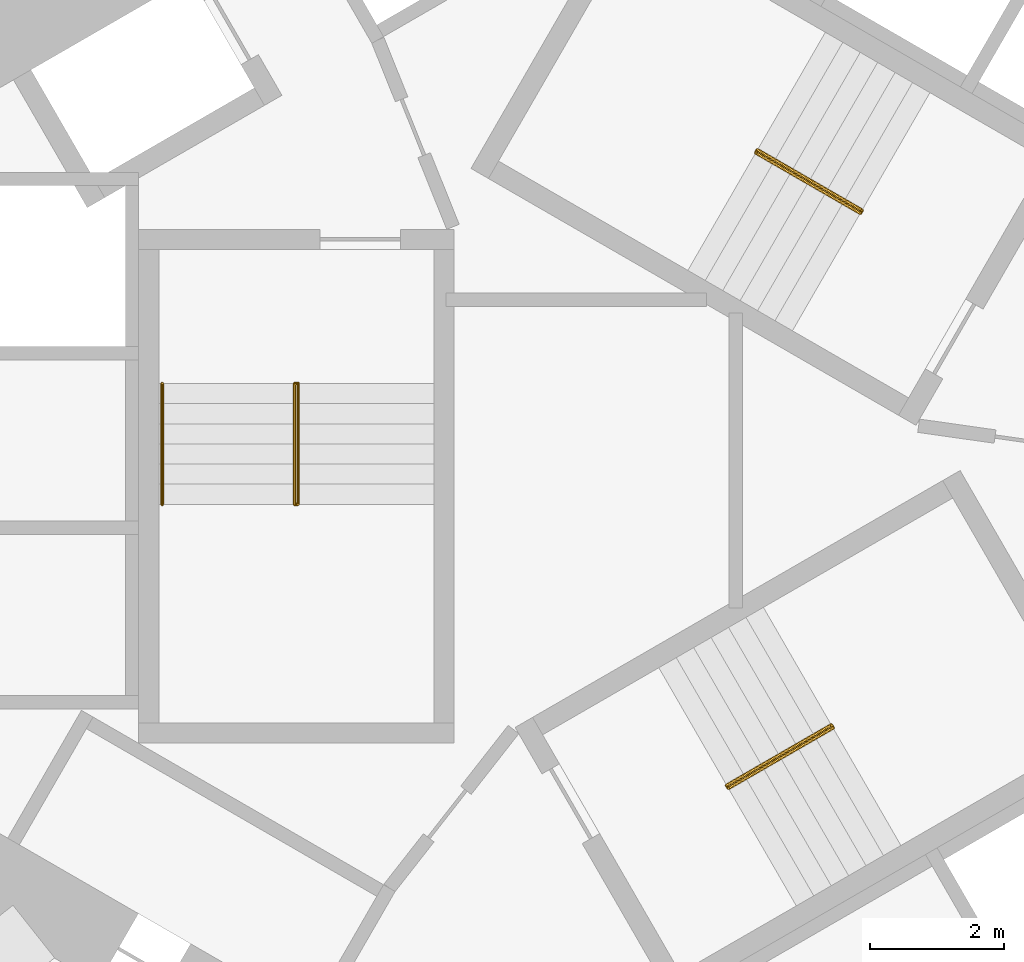
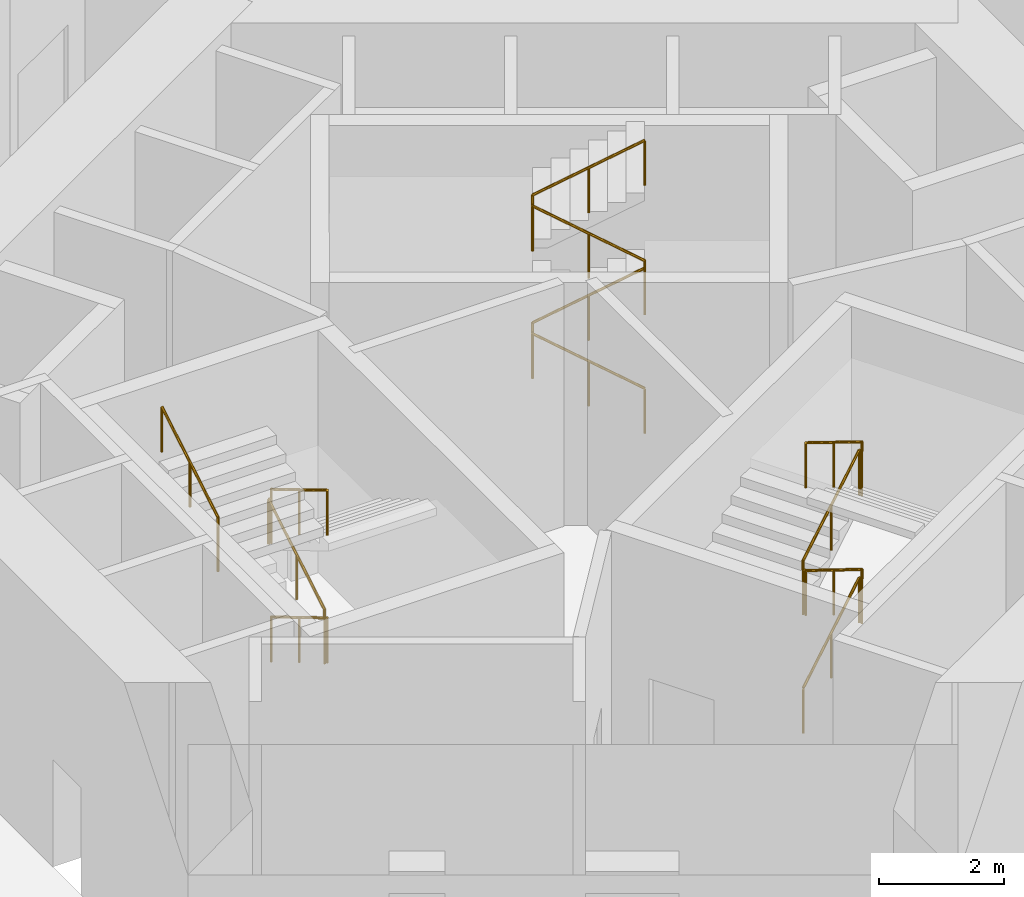
# One storey, part 19 of 19: 4 railings.
"""IFC4 building model written with IfcOpenShell, lengths in metres."""

from ifc_helpers import new_model, si_unit, direction, frame, origin, origin_2d, place, context, subcontext, project, spatial, circle, extrude, material, type_object, element, save


model = new_model("IFC4")

# Units and contexts
model_context = context("Model", 3, precision=1e-05, world=origin(), true_north=direction((0.0, 1.0)))
body_context = subcontext(model_context, "Body", "Model", "MODEL_VIEW")
ifc_project = project(units=[si_unit("LENGTHUNIT", "METRE"), si_unit("AREAUNIT", "SQUARE_METRE"), si_unit("VOLUMEUNIT", "CUBIC_METRE"), si_unit("PLANEANGLEUNIT", "RADIAN"), si_unit("MASSUNIT", "GRAM", prefix="KILO")], contexts=[model_context])

# Site, building, storey
site_placement = place(None, origin())
site = spatial("IfcSite", under=ifc_project, at=site_placement, CompositionType="ELEMENT")
building_placement = place(site_placement, origin())
building = spatial("IfcBuilding", under=site, at=building_placement, Name="Vanh Sen Convention Tower", CompositionType="ELEMENT")
storey_placement = place(building_placement, frame((0.0, 0.0, 39.0)))
storey = spatial("IfcBuildingStorey", under=building, at=storey_placement, Name="L06", CompositionType="ELEMENT", Elevation=39.0)

# Railings
ifc_material = material(Name="Stainless steel handrail", Category="steel")
railing_type = type_object("IfcRailingType", Name="Stair handrail 900", PredefinedType="HANDRAIL", material=ifc_material)
railing_1_placement = place(storey_placement, frame((3.45849609375, 3.690185546875, 0.1787109375)))
element("IfcRailing", 1, at=railing_1_placement, inside=storey, type_object=railing_type, Name="Stair handrail ST1 L06", PredefinedType="HANDRAIL", context=body_context, shape_type="SweptSolid", body=[
    extrude(circle(Radius=0.02392578125, at=origin_2d()), frame((0.0, 0.0, 0.8759765625), z_axis=(-0.744208054379, 0.429624258174, 0.511446349666), x_axis=(-0.499961193289, -0.866047807691, 0.0)), (0.0, 0.0, 1.0), 2.0947265625),
    extrude(circle(Radius=0.02392578125, at=origin_2d()), frame((-1.558837890625, 0.89990234375, 1.947265625), z_axis=(0.497188445666, 0.867642581652, 0.0), x_axis=(-0.867642581652, 0.497188445666, 0.0)), (0.0, 0.0, 1.0), 0.050048828125),
    extrude(circle(Radius=0.02392578125, at=origin_2d()), frame((-1.533935546875, 0.943359375, 1.947265625), z_axis=(0.0, 0.0, 1.0), x_axis=(1.0, 0.0, 0.0)), (0.0, 0.0, 1.0), 0.1787109375),
    extrude(circle(Radius=0.02392578125, at=origin_2d()), frame((-1.533935546875, 0.943359375, 2.1259765625), z_axis=(0.744170785793, -0.429719293222, 0.511420737363), x_axis=(0.500062916607, 0.865989075817, 0.0)), (0.0, 0.0, 1.0), 2.0947265625),
    extrude(circle(Radius=0.02392578125, at=origin_2d()), frame((0.02490234375, 0.043212890625, 3.197265625), z_axis=(-0.499298623879, -0.866429964967, 0.0), x_axis=(0.866429964967, -0.499298623879, 0.0)), (0.0, 0.0, 1.0), 0.0498046875),
    extrude(circle(Radius=0.02392578125, at=origin_2d()), frame((0.0, 0.0, 3.197265625), z_axis=(0.0, 0.0, 1.0), x_axis=(1.0, 0.0, 0.0)), (0.0, 0.0, 1.0), 0.1787109375),
    extrude(circle(Radius=0.02392578125, at=origin_2d()), frame((0.0, 0.0, 3.3759765625), z_axis=(-0.744208054379, 0.429624258174, 0.511446349666), x_axis=(-0.499961193289, -0.866047807691, 0.0)), (0.0, 0.0, 1.0), 2.0947265625),
    extrude(circle(Radius=0.02392578125, at=origin_2d()), frame((-1.558837890625, 0.89990234375, 4.447265625), z_axis=(0.497188445666, 0.867642581652, 0.0), x_axis=(-0.867642581652, 0.497188445666, 0.0)), (0.0, 0.0, 1.0), 0.050048828125),
    extrude(circle(Radius=0.02392578125, at=origin_2d()), frame((-1.533935546875, 0.943359375, 4.447265625), z_axis=(0.0, 0.0, 1.0), x_axis=(1.0, 0.0, 0.0)), (0.0, 0.0, 1.0), 0.1787109375),
    extrude(circle(Radius=0.02392578125, at=origin_2d()), frame((-1.533935546875, 0.943359375, 4.6259765625), z_axis=(0.744170785793, -0.429719293222, 0.511420737363), x_axis=(0.500062916607, 0.865989075817, 0.0)), (0.0, 0.0, 1.0), 2.0947265625),
    extrude(circle(Radius=0.02099609375, at=origin_2d()), origin(), (0.0, 0.0, 1.0), 0.851806640625),
    extrude(circle(Radius=0.02099609375, at=origin_2d()), frame((-0.779296875, 0.449951171875, 0.53564453125)), (0.0, 0.0, 1.0), 0.851806640625),
    extrude(circle(Radius=0.02099609375, at=origin_2d()), frame((-1.558837890625, 0.89990234375, 1.0712890625)), (0.0, 0.0, 1.0), 0.851806640625),
    extrude(circle(Radius=0.02099609375, at=origin_2d()), frame((-1.533935546875, 0.943359375, 1.0712890625)), (0.0, 0.0, 1.0), 0.851806640625),
    extrude(circle(Radius=0.02099609375, at=origin_2d()), frame((-1.533935546875, 0.943359375, 1.25)), (0.0, 0.0, 1.0), 0.851806640625),
    extrude(circle(Radius=0.02099609375, at=origin_2d()), frame((-0.75439453125, 0.4931640625, 1.78564453125)), (0.0, 0.0, 1.0), 0.851806640625),
    extrude(circle(Radius=0.02099609375, at=origin_2d()), frame((0.02490234375, 0.043212890625, 2.3212890625)), (0.0, 0.0, 1.0), 0.851806640625),
    extrude(circle(Radius=0.02099609375, at=origin_2d()), frame((0.0, 0.0, 2.3212890625)), (0.0, 0.0, 1.0), 0.851806640625),
    extrude(circle(Radius=0.02099609375, at=origin_2d()), frame((0.0, 0.0, 2.5)), (0.0, 0.0, 1.0), 0.851806640625),
    extrude(circle(Radius=0.02099609375, at=origin_2d()), frame((-0.779296875, 0.449951171875, 3.03564453125)), (0.0, 0.0, 1.0), 0.851806640625),
    extrude(circle(Radius=0.02099609375, at=origin_2d()), frame((-1.558837890625, 0.89990234375, 3.5712890625)), (0.0, 0.0, 1.0), 0.851806640625),
    extrude(circle(Radius=0.02099609375, at=origin_2d()), frame((-1.533935546875, 0.943359375, 3.5712890625)), (0.0, 0.0, 1.0), 0.851806640625),
    extrude(circle(Radius=0.02099609375, at=origin_2d()), frame((-1.533935546875, 0.943359375, 3.75)), (0.0, 0.0, 1.0), 0.851806640625),
    extrude(circle(Radius=0.02099609375, at=origin_2d()), frame((-0.75439453125, 0.4931640625, 4.28564453125)), (0.0, 0.0, 1.0), 0.851806640625),
    extrude(circle(Radius=0.02099609375, at=origin_2d()), frame((0.02490234375, 0.043212890625, 4.8212890625)), (0.0, 0.0, 1.0), 0.851806640625),
])
railing_2_placement = place(storey_placement, frame((-4.925048828125, 1.14990234375, 0.1787109375)))
element("IfcRailing", 2, at=railing_2_placement, inside=storey, type_object=railing_type, Name="Stair handrail ST2 L06", PredefinedType="HANDRAIL", context=body_context, shape_type="SweptSolid", body=[
    extrude(circle(Radius=0.02392578125, at=origin_2d()), frame((0.0, 0.0, 0.8759765625), z_axis=(0.0, -0.859297763499, 0.511475662809), x_axis=(1.0, 0.0, 0.0)), (0.0, 0.0, 1.0), 2.094482421875),
    extrude(circle(Radius=0.02392578125, at=origin_2d()), frame((0.0, -1.7998046875, 1.947265625), z_axis=(-1.0, 0.0, 0.0), x_axis=(0.0, -1.0, 0.0)), (0.0, 0.0, 1.0), 0.050048828125),
    extrude(circle(Radius=0.02392578125, at=origin_2d()), frame((-0.050048828125, -1.7998046875, 1.947265625), z_axis=(0.0, 0.0, 1.0), x_axis=(1.0, 0.0, 0.0)), (0.0, 0.0, 1.0), 0.1787109375),
    extrude(circle(Radius=0.02392578125, at=origin_2d()), frame((-0.050048828125, -1.7998046875, 2.1259765625), z_axis=(0.0, 0.859297763499, 0.511475662809), x_axis=(-1.0, 0.0, 0.0)), (0.0, 0.0, 1.0), 2.094482421875),
    extrude(circle(Radius=0.02392578125, at=origin_2d()), frame((-0.050048828125, 0.0, 3.197265625), z_axis=(1.0, 0.0, 0.0), x_axis=(0.0, 1.0, 0.0)), (0.0, 0.0, 1.0), 0.050048828125),
    extrude(circle(Radius=0.02392578125, at=origin_2d()), frame((0.0, 0.0, 3.197265625), z_axis=(0.0, 0.0, 1.0), x_axis=(1.0, 0.0, 0.0)), (0.0, 0.0, 1.0), 0.1787109375),
    extrude(circle(Radius=0.02392578125, at=origin_2d()), frame((0.0, 0.0, 3.3759765625), z_axis=(0.0, -0.859297763499, 0.511475662809), x_axis=(1.0, 0.0, 0.0)), (0.0, 0.0, 1.0), 2.094482421875),
    extrude(circle(Radius=0.02099609375, at=origin_2d()), origin(), (0.0, 0.0, 1.0), 0.851806640625),
    extrude(circle(Radius=0.02099609375, at=origin_2d()), frame((0.0, -0.89990234375, 0.53564453125)), (0.0, 0.0, 1.0), 0.851806640625),
    extrude(circle(Radius=0.02099609375, at=origin_2d()), frame((0.0, -1.7998046875, 1.0712890625)), (0.0, 0.0, 1.0), 0.851806640625),
    extrude(circle(Radius=0.02099609375, at=origin_2d()), frame((-0.050048828125, -1.7998046875, 1.0712890625)), (0.0, 0.0, 1.0), 0.851806640625),
    extrude(circle(Radius=0.02099609375, at=origin_2d()), frame((-0.050048828125, -1.7998046875, 1.25)), (0.0, 0.0, 1.0), 0.851806640625),
    extrude(circle(Radius=0.02099609375, at=origin_2d()), frame((-0.050048828125, -0.89990234375, 1.78564453125)), (0.0, 0.0, 1.0), 0.851806640625),
    extrude(circle(Radius=0.02099609375, at=origin_2d()), frame((-0.050048828125, 0.0, 2.3212890625)), (0.0, 0.0, 1.0), 0.851806640625),
    extrude(circle(Radius=0.02099609375, at=origin_2d()), frame((0.0, 0.0, 2.3212890625)), (0.0, 0.0, 1.0), 0.851806640625),
    extrude(circle(Radius=0.02099609375, at=origin_2d()), frame((0.0, 0.0, 2.5)), (0.0, 0.0, 1.0), 0.851806640625),
    extrude(circle(Radius=0.02099609375, at=origin_2d()), frame((0.0, -0.89990234375, 3.03564453125)), (0.0, 0.0, 1.0), 0.851806640625),
    extrude(circle(Radius=0.02099609375, at=origin_2d()), frame((0.0, -1.7998046875, 3.5712890625)), (0.0, 0.0, 1.0), 0.851806640625),
])
railing_3_placement = place(storey_placement, frame((1.466552734375, -4.840087890625, 0.1787109375)))
element("IfcRailing", 3, at=railing_3_placement, inside=storey, type_object=railing_type, Name="Stair handrail ST3 L06", PredefinedType="HANDRAIL", context=body_context, shape_type="SweptSolid", body=[
    extrude(circle(Radius=0.02392578125, at=origin_2d()), frame((0.0, 0.0, 0.8759765625), z_axis=(0.744208054379, 0.429624258174, 0.511446349666), x_axis=(-0.499961193289, 0.866047807691, 0.0)), (0.0, 0.0, 1.0), 2.0947265625),
    extrude(circle(Radius=0.02392578125, at=origin_2d()), frame((1.558837890625, 0.89990234375, 1.947265625), z_axis=(0.499298623879, -0.866429964967, 0.0), x_axis=(0.866429964967, 0.499298623879, 0.0)), (0.0, 0.0, 1.0), 0.0498046875),
    extrude(circle(Radius=0.02392578125, at=origin_2d()), frame((1.583740234375, 0.856689453125, 1.947265625), z_axis=(0.0, 0.0, 1.0), x_axis=(1.0, 0.0, 0.0)), (0.0, 0.0, 1.0), 0.1787109375),
    extrude(circle(Radius=0.02392578125, at=origin_2d()), frame((1.583740234375, 0.856689453125, 2.1259765625), z_axis=(-0.744118773337, -0.429756565992, 0.511465096711), x_axis=(0.50012165622, -0.865955154139, 0.0)), (0.0, 0.0, 1.0), 2.094482421875),
    extrude(circle(Radius=0.02392578125, at=origin_2d()), frame((0.025146484375, -0.04345703125, 3.197265625), z_axis=(-0.500844580232, 0.86553723574, 0.0), x_axis=(-0.86553723574, -0.500844580232, 0.0)), (0.0, 0.0, 1.0), 0.05029296875),
    extrude(circle(Radius=0.02392578125, at=origin_2d()), frame((0.0, 0.0, 3.197265625), z_axis=(0.0, 0.0, 1.0), x_axis=(1.0, 0.0, 0.0)), (0.0, 0.0, 1.0), 0.1787109375),
    extrude(circle(Radius=0.02392578125, at=origin_2d()), frame((0.0, 0.0, 3.3759765625), z_axis=(0.744208054379, 0.429624258174, 0.511446349666), x_axis=(-0.499961193289, 0.866047807691, 0.0)), (0.0, 0.0, 1.0), 2.0947265625),
    extrude(circle(Radius=0.02392578125, at=origin_2d()), frame((1.558837890625, 0.89990234375, 4.447265625), z_axis=(0.499298623879, -0.866429964967, 0.0), x_axis=(0.866429964967, 0.499298623879, 0.0)), (0.0, 0.0, 1.0), 0.0498046875),
    extrude(circle(Radius=0.02392578125, at=origin_2d()), frame((1.583740234375, 0.856689453125, 4.447265625), z_axis=(0.0, 0.0, 1.0), x_axis=(1.0, 0.0, 0.0)), (0.0, 0.0, 1.0), 0.1787109375),
    extrude(circle(Radius=0.02392578125, at=origin_2d()), frame((1.583740234375, 0.856689453125, 4.6259765625), z_axis=(-0.744118773337, -0.429756565992, 0.511465096711), x_axis=(0.50012165622, -0.865955154139, 0.0)), (0.0, 0.0, 1.0), 2.094482421875),
    extrude(circle(Radius=0.02099609375, at=origin_2d()), origin(), (0.0, 0.0, 1.0), 0.851806640625),
    extrude(circle(Radius=0.02099609375, at=origin_2d()), frame((0.779296875, 0.449951171875, 0.53564453125)), (0.0, 0.0, 1.0), 0.851806640625),
    extrude(circle(Radius=0.02099609375, at=origin_2d()), frame((1.558837890625, 0.89990234375, 1.0712890625)), (0.0, 0.0, 1.0), 0.851806640625),
    extrude(circle(Radius=0.02099609375, at=origin_2d()), frame((1.583740234375, 0.856689453125, 1.0712890625)), (0.0, 0.0, 1.0), 0.851806640625),
    extrude(circle(Radius=0.02099609375, at=origin_2d()), frame((1.583740234375, 0.856689453125, 1.25)), (0.0, 0.0, 1.0), 0.851806640625),
    extrude(circle(Radius=0.02099609375, at=origin_2d()), frame((0.804443359375, 0.40673828125, 1.78564453125)), (0.0, 0.0, 1.0), 0.851806640625),
    extrude(circle(Radius=0.02099609375, at=origin_2d()), frame((0.025146484375, -0.04345703125, 2.3212890625)), (0.0, 0.0, 1.0), 0.851806640625),
    extrude(circle(Radius=0.02099609375, at=origin_2d()), frame((0.0, 0.0, 2.3212890625)), (0.0, 0.0, 1.0), 0.851806640625),
    extrude(circle(Radius=0.02099609375, at=origin_2d()), frame((0.0, 0.0, 2.5)), (0.0, 0.0, 1.0), 0.851806640625),
    extrude(circle(Radius=0.02099609375, at=origin_2d()), frame((0.779296875, 0.449951171875, 3.03564453125)), (0.0, 0.0, 1.0), 0.851806640625),
    extrude(circle(Radius=0.02099609375, at=origin_2d()), frame((1.558837890625, 0.89990234375, 3.5712890625)), (0.0, 0.0, 1.0), 0.851806640625),
    extrude(circle(Radius=0.02099609375, at=origin_2d()), frame((1.583740234375, 0.856689453125, 3.5712890625)), (0.0, 0.0, 1.0), 0.851806640625),
    extrude(circle(Radius=0.02099609375, at=origin_2d()), frame((1.583740234375, 0.856689453125, 3.75)), (0.0, 0.0, 1.0), 0.851806640625),
    extrude(circle(Radius=0.02099609375, at=origin_2d()), frame((0.804443359375, 0.40673828125, 4.28564453125)), (0.0, 0.0, 1.0), 0.851806640625),
    extrude(circle(Radius=0.02099609375, at=origin_2d()), frame((0.025146484375, -0.04345703125, 4.8212890625)), (0.0, 0.0, 1.0), 0.851806640625),
])
railing_4_placement = place(storey_placement, frame((-6.949951171875, -0.64990234375, 3.75)))
element("IfcRailing", 4, at=railing_4_placement, inside=storey, type_object=railing_type, Name="Stair wall handrail ST2 L06", PredefinedType="HANDRAIL", context=body_context, shape_type="SweptSolid", body=[
    extrude(circle(Radius=0.02392578125, at=origin_2d()), frame((0.0, 0.0, 0.8759765625), z_axis=(0.0, 0.0, 1.0), x_axis=(1.0, 0.0, 0.0)), (0.0, 0.0, 1.0), 0.1787109375),
    extrude(circle(Radius=0.02392578125, at=origin_2d()), frame((0.0, 0.0, 1.0546875), z_axis=(0.0, 0.859297763499, 0.511475662809), x_axis=(-1.0, 0.0, 0.0)), (0.0, 0.0, 1.0), 2.094482421875),
    extrude(circle(Radius=0.02099609375, at=origin_2d()), origin(), (0.0, 0.0, 1.0), 0.851806640625),
    extrude(circle(Radius=0.02099609375, at=origin_2d()), frame((0.0, 0.0, 0.1787109375)), (0.0, 0.0, 1.0), 0.851806640625),
    extrude(circle(Radius=0.02099609375, at=origin_2d()), frame((0.0, 0.89990234375, 0.71435546875)), (0.0, 0.0, 1.0), 0.851806640625),
    extrude(circle(Radius=0.02099609375, at=origin_2d()), frame((0.0, 1.7998046875, 1.25)), (0.0, 0.0, 1.0), 0.851806640625),
])

save(model, "model.ifc")
